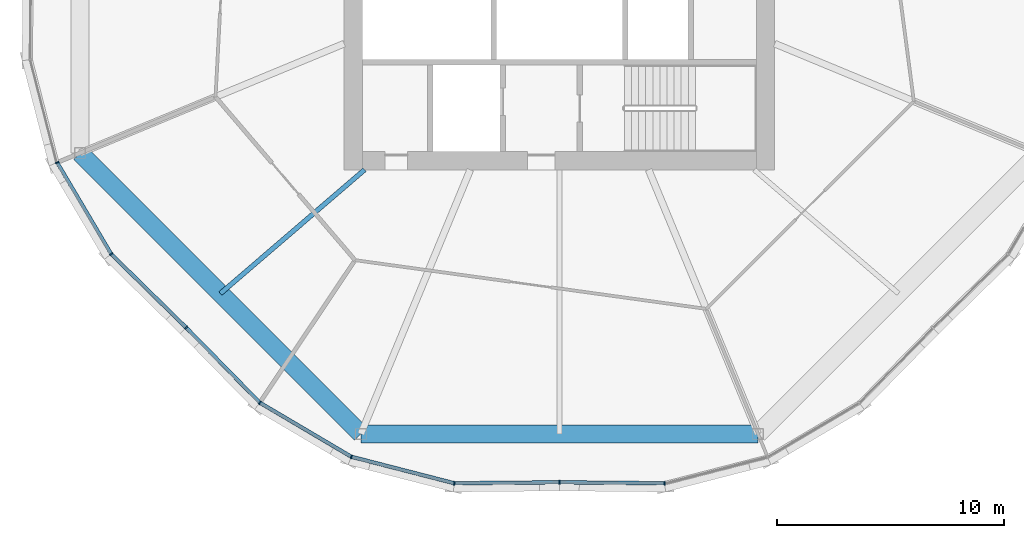
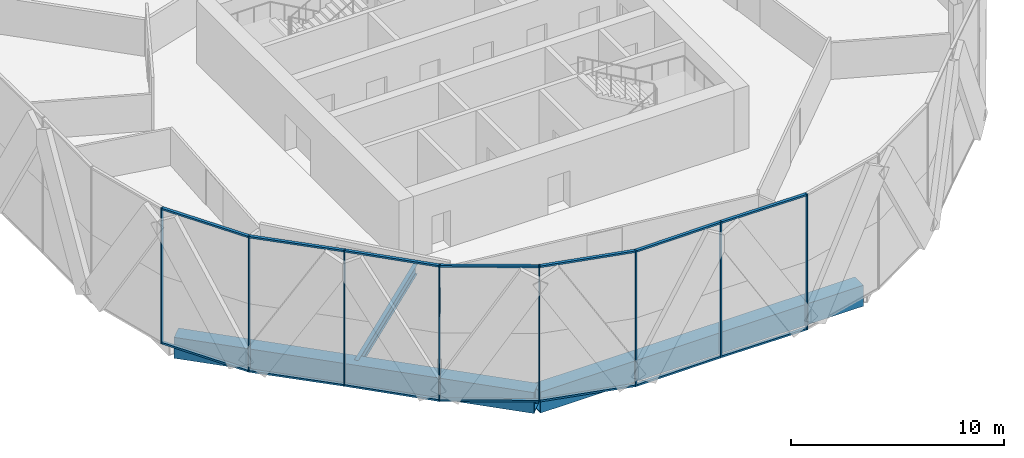
# One storey, part 3 of 31: 22 members, 3 beams, 3 elements without a shape of their own.
"""IFC4 building model written with IfcOpenShell, lengths in metres."""

from ifc_helpers import new_model, si_unit, direction, frame, origin, origin_2d, place, context, subcontext, project, spatial, rectangle, hollow_rectangle, i_section, extrude, material, material_profile, profile_set, type_object, element, aggregate, save


model = new_model("IFC4")

# Units and contexts
model_context = context("Model", 3, precision=1e-05, world=origin(), true_north=direction((0.0, 1.0)))
body_context = subcontext(model_context, "Body", "Model", "MODEL_VIEW")
ifc_project = project(units=[si_unit("LENGTHUNIT", "METRE"), si_unit("AREAUNIT", "SQUARE_METRE"), si_unit("VOLUMEUNIT", "CUBIC_METRE"), si_unit("PLANEANGLEUNIT", "RADIAN"), si_unit("MASSUNIT", "GRAM", prefix="KILO")], contexts=[model_context])

# Site, building, storey
site_placement = place(None, origin())
site = spatial("IfcSite", under=ifc_project, at=site_placement, CompositionType="ELEMENT")
building_placement = place(site_placement, origin())
building = spatial("IfcBuilding", under=site, at=building_placement, Name="Ogive Gate Towers", CompositionType="ELEMENT")
storey_placement = place(building_placement, frame((0.0, 0.0, 63.60009765625)))
storey = spatial("IfcBuildingStorey", under=building, at=storey_placement, Name="L14", CompositionType="ELEMENT", Elevation=63.60009765625)

# Beams
ifc_material_1 = material(Name="Steel SM460", Category="steel")
ifc_material_profile_1 = material_profile(ifc_material_1, hollow_rectangle(XDim=0.800048828125, YDim=1.199951171875, WallThickness=0.050048828125, at=origin_2d()), Name="BX 1200x800x50")
ifc_profile_set_1 = profile_set([ifc_material_profile_1], Name="Steel SM460")
beam_type_1 = type_object("IfcBeamType", Name="Edge girder BX 1200x800x50", PredefinedType="BEAM", material=ifc_profile_set_1)
for number, where, z_axis, x_axis, name in (
    (1, (-57.15673828125, -8.763427734375, -0.900146484375), (0.707106781187, -0.707106781187, 0.0), (0.707106781187, 0.707106781187, 0.0), "T1/L14/SBM017"),
    (2, (-44.763427734375, -21.15673828125, -0.900146484375), (1.0, 0.0, 0.0), (0.0, 1.0, 0.0), "T1/L14/SBM018"),
):
    element("IfcBeam", number, at=place(storey_placement, frame(where, z_axis=z_axis, x_axis=x_axis)), inside=storey, type_object=beam_type_1, Name=name, PredefinedType="BEAM", context=body_context, shape_type="SweptSolid", body=[
        extrude(hollow_rectangle(XDim=0.800048828125, YDim=1.199951171875, WallThickness=0.050048828125, at=origin_2d()), origin(), (0.0, 0.0, 1.0), 17.52685546875),
    ])
ifc_material_2 = material(Name="Steel SM355", Category="steel")
ifc_material_profile_2 = material_profile(ifc_material_2, i_section(OverallWidth=0.2099609375, OverallDepth=0.550048828125, WebThickness=0.010986328125, FlangeThickness=0.01708984375, FilletRadius=0.02392578125, at=origin_2d()), Name="IPE 550")
ifc_profile_set_2 = profile_set([ifc_material_profile_2], Name="Steel SM355")
beam_type_2 = type_object("IfcBeamType", Name="Radial floor beam IPE 550", PredefinedType="BEAM", material=ifc_profile_set_2)
beam_placement = place(storey_placement, frame((-44.60009765625, -9.5, -0.5751953125), z_axis=(-0.75874444664, -0.651388413078, 0.0), x_axis=(0.651388413078, -0.75874444664, 0.0)))
element("IfcBeam", 3, at=beam_placement, inside=storey, type_object=beam_type_2, Name="T1/L14/SBM002", PredefinedType="BEAM", context=body_context, shape_type="SweptSolid", body=[
    extrude(i_section(OverallWidth=0.2099609375, OverallDepth=0.550048828125, WebThickness=0.010986328125, FlangeThickness=0.01708984375, FilletRadius=0.02392578125, at=origin_2d()), origin(), (0.0, 0.0, 1.0), 8.38232421875),
])

# Curtain wall, members
ifc_material_3 = material(Name="Pale metal aluminium", Category="aluminium")
curtain_wall_type = type_object("IfcCurtainWallType", Name="Tower unitised wall, low zone", PredefinedType="NOTDEFINED", material=ifc_material_3)
curtain_wall_1_placement = place(storey_placement, origin())
curtain_wall_1 = element("IfcCurtainWall", 4, at=curtain_wall_1_placement, inside=storey, type_object=curtain_wall_type, Name="CW1 T1 ECW05", PredefinedType="NOTDEFINED")
ifc_material_profile_3 = material_profile(ifc_material_3, rectangle(XDim=0.159912109375, YDim=0.06005859375, at=origin_2d()), Name="60 x 160 aluminium box")
ifc_profile_set_3 = profile_set([ifc_material_profile_3], Name="Pale metal aluminium")
member_type_1 = type_object("IfcMemberType", Name="Tower unitised wall, low zone mullion 60 x 160", PredefinedType="MULLION", material=ifc_profile_set_3)
member_1_placement = place(storey_placement, frame((-58.164794921875, -9.180908203125, -0.300048828125), z_axis=(0.0, 0.0, 1.0), x_axis=(-0.923879532511, -0.382683432365, 0.0)))
member_1 = element("IfcMember", 5, at=member_1_placement, type_object=member_type_1, Name="CW1 mullion", PredefinedType="MULLION", context=body_context, shape_type="SweptSolid", body=[
    extrude(rectangle(XDim=0.159912109375, YDim=0.06005859375, at=origin_2d()), origin(), (0.0, 0.0, 1.0), 7.800048828125),
])
member_2_placement = place(storey_placement, frame((-55.77783203125, -13.222412109375, -0.300048828125), z_axis=(0.0, 0.0, 1.0), x_axis=(-0.787387121413, -0.616458855912, 0.0)))
member_2 = element("IfcMember", 6, at=member_2_placement, type_object=member_type_1, Name="CW1 mullion", PredefinedType="MULLION", context=body_context, shape_type="SweptSolid", body=[
    extrude(rectangle(XDim=0.159912109375, YDim=0.06005859375, at=origin_2d()), origin(), (0.0, 0.0, 1.0), 7.800048828125),
])
member_3_placement = place(storey_placement, frame((-52.46875, -16.468505859375, -0.300048828125), z_axis=(0.0, 0.0, 1.0), x_axis=(-0.700299028189, -0.713849613797, 0.0)))
member_3 = element("IfcMember", 7, at=member_3_placement, type_object=member_type_1, Name="CW1 mullion", PredefinedType="MULLION", context=body_context, shape_type="SweptSolid", body=[
    extrude(rectangle(XDim=0.159912109375, YDim=0.06005859375, at=origin_2d()), origin(), (0.0, 0.0, 1.0), 7.800048828125),
])

curtain_wall_2_placement = place(storey_placement, origin())
curtain_wall_2 = element("IfcCurtainWall", 8, at=curtain_wall_2_placement, inside=storey, type_object=curtain_wall_type, Name="CW1 T1 ECW06", PredefinedType="NOTDEFINED")
member_4_placement = place(storey_placement, frame((-49.222412109375, -19.77783203125, -0.300048828125), z_axis=(0.0, 0.0, 1.0), x_axis=(-0.616458855912, -0.787387121413, 0.0)))
member_4 = element("IfcMember", 9, at=member_4_placement, type_object=member_type_1, Name="CW1 mullion", PredefinedType="MULLION", context=body_context, shape_type="SweptSolid", body=[
    extrude(rectangle(XDim=0.159912109375, YDim=0.06005859375, at=origin_2d()), origin(), (0.0, 0.0, 1.0), 7.800048828125),
])
member_5_placement = place(storey_placement, frame((-45.180908203125, -22.164794921875, -0.300048828125), z_axis=(0.0, 0.0, 1.0), x_axis=(-0.382683432365, -0.923879532511, 0.0)))
member_5 = element("IfcMember", 10, at=member_5_placement, type_object=member_type_1, Name="CW1 mullion", PredefinedType="MULLION", context=body_context, shape_type="SweptSolid", body=[
    extrude(rectangle(XDim=0.159912109375, YDim=0.06005859375, at=origin_2d()), origin(), (0.0, 0.0, 1.0), 7.800048828125),
])
member_6_placement = place(storey_placement, frame((-40.635498046875, -23.334716796875, -0.300048828125), z_axis=(0.0, 0.0, 1.0), x_axis=(-0.120847210271, -0.992671119641, 0.0)))
member_6 = element("IfcMember", 11, at=member_6_placement, type_object=member_type_1, Name="CW1 mullion", PredefinedType="MULLION", context=body_context, shape_type="SweptSolid", body=[
    extrude(rectangle(XDim=0.159912109375, YDim=0.06005859375, at=origin_2d()), origin(), (0.0, 0.0, 1.0), 7.800048828125),
])
member_7_placement = place(storey_placement, frame((-36.000244140625, -23.2900390625, -0.300048828125), z_axis=(0.0, 0.0, 1.0), x_axis=(0.009599163462, -0.999953926969, 0.0)))
member_7 = element("IfcMember", 12, at=member_7_placement, type_object=member_type_1, Name="CW1 mullion", PredefinedType="MULLION", context=body_context, shape_type="SweptSolid", body=[
    extrude(rectangle(XDim=0.159912109375, YDim=0.06005859375, at=origin_2d()), origin(), (0.0, 0.0, 1.0), 7.800048828125),
])

# Curtain wall, member
curtain_wall_3_placement = place(storey_placement, origin())
curtain_wall_3 = element("IfcCurtainWall", 13, at=curtain_wall_3_placement, inside=storey, type_object=curtain_wall_type, Name="CW1 T1 ECW07", PredefinedType="NOTDEFINED")
member_8_placement = place(storey_placement, frame((-31.364501953125, -23.334716796875, -0.300048828125), z_axis=(0.0, 0.0, 1.0), x_axis=(0.120847210271, -0.992671119641, 0.0)))
member_8 = element("IfcMember", 14, at=member_8_placement, type_object=member_type_1, Name="CW1 mullion", PredefinedType="MULLION", context=body_context, shape_type="SweptSolid", body=[
    extrude(rectangle(XDim=0.159912109375, YDim=0.06005859375, at=origin_2d()), origin(), (0.0, 0.0, 1.0), 7.800048828125),
])

# Member
ifc_material_profile_4 = material_profile(ifc_material_3, rectangle(XDim=0.159912109375, YDim=0.10009765625, at=origin_2d()), Name="100 x 160 aluminium box")
ifc_profile_set_4 = profile_set([ifc_material_profile_4], Name="Pale metal aluminium")
member_type_2 = type_object("IfcMemberType", Name="Tower unitised wall, low zone transom 100 x 160", PredefinedType="USERDEFINED", material=ifc_profile_set_4)
member_9_placement = place(storey_placement, frame((-58.15087890625, -9.204345703125, 7.449951171875), z_axis=(0.508578598665, -0.861015568373, 0.0), x_axis=(0.861015568373, 0.508578598665, 0.0)))
member_9 = element("IfcMember", 15, at=member_9_placement, type_object=member_type_2, Name="CW1 transom", ObjectType="TRANSOM", PredefinedType="USERDEFINED", context=body_context, shape_type="SweptSolid", body=[
    extrude(rectangle(XDim=0.159912109375, YDim=0.10009765625, at=origin_2d()), origin(), (0.0, 0.0, 1.0), 4.63916015625),
])

member_10_placement = place(storey_placement, frame((-58.15087890625, -9.204345703125, -0.25), z_axis=(0.508578598665, -0.861015568373, 0.0), x_axis=(0.861015568373, 0.508578598665, 0.0)))
member_10 = element("IfcMember", 16, at=member_10_placement, type_object=member_type_2, Name="CW1 transom", ObjectType="TRANSOM", PredefinedType="USERDEFINED", context=body_context, shape_type="SweptSolid", body=[
    extrude(rectangle(XDim=0.159912109375, YDim=0.10009765625, at=origin_2d()), origin(), (0.0, 0.0, 1.0), 4.63916015625),
])

member_11_placement = place(storey_placement, frame((-55.75830078125, -13.241455078125, 7.449951171875), z_axis=(0.71387313872, -0.70027504726, 0.0), x_axis=(0.70027504726, 0.71387313872, 0.0)))
member_11 = element("IfcMember", 17, at=member_11_placement, type_object=member_type_2, Name="CW1 transom", ObjectType="TRANSOM", PredefinedType="USERDEFINED", context=body_context, shape_type="SweptSolid", body=[
    extrude(rectangle(XDim=0.159912109375, YDim=0.10009765625, at=origin_2d()), origin(), (0.0, 0.0, 1.0), 4.578369140625),
])

member_12_placement = place(storey_placement, frame((-55.75830078125, -13.241455078125, -0.25), z_axis=(0.71387313872, -0.70027504726, 0.0), x_axis=(0.70027504726, 0.71387313872, 0.0)))
member_12 = element("IfcMember", 18, at=member_12_placement, type_object=member_type_2, Name="CW1 transom", ObjectType="TRANSOM", PredefinedType="USERDEFINED", context=body_context, shape_type="SweptSolid", body=[
    extrude(rectangle(XDim=0.159912109375, YDim=0.10009765625, at=origin_2d()), origin(), (0.0, 0.0, 1.0), 4.578369140625),
])

aggregate(curtain_wall_1, [member_1, member_2, member_9, member_10, member_3, member_11, member_12])

member_13_placement = place(storey_placement, frame((-52.447509765625, -16.489990234375, 7.449951171875), z_axis=(0.70027504726, -0.71387313872, 0.0), x_axis=(0.71387313872, 0.70027504726, 0.0)))
member_13 = element("IfcMember", 19, at=member_13_placement, type_object=member_type_2, Name="CW1 transom", ObjectType="TRANSOM", PredefinedType="USERDEFINED", context=body_context, shape_type="SweptSolid", body=[
    extrude(rectangle(XDim=0.159912109375, YDim=0.10009765625, at=origin_2d()), origin(), (0.0, 0.0, 1.0), 4.578369140625),
])

member_14_placement = place(storey_placement, frame((-52.447509765625, -16.489990234375, -0.25), z_axis=(0.70027504726, -0.71387313872, 0.0), x_axis=(0.71387313872, 0.70027504726, 0.0)))
member_14 = element("IfcMember", 20, at=member_14_placement, type_object=member_type_2, Name="CW1 transom", ObjectType="TRANSOM", PredefinedType="USERDEFINED", context=body_context, shape_type="SweptSolid", body=[
    extrude(rectangle(XDim=0.159912109375, YDim=0.10009765625, at=origin_2d()), origin(), (0.0, 0.0, 1.0), 4.578369140625),
])

member_15_placement = place(storey_placement, frame((-49.19873046875, -19.79150390625, 7.449951171875), z_axis=(0.861015568373, -0.508578598665, 0.0), x_axis=(0.508578598665, 0.861015568373, 0.0)))
member_15 = element("IfcMember", 21, at=member_15_placement, type_object=member_type_2, Name="CW1 transom", ObjectType="TRANSOM", PredefinedType="USERDEFINED", context=body_context, shape_type="SweptSolid", body=[
    extrude(rectangle(XDim=0.159912109375, YDim=0.10009765625, at=origin_2d()), origin(), (0.0, 0.0, 1.0), 4.63916015625),
])

member_16_placement = place(storey_placement, frame((-49.19873046875, -19.79150390625, -0.25), z_axis=(0.861015568373, -0.508578598665, 0.0), x_axis=(0.508578598665, 0.861015568373, 0.0)))
member_16 = element("IfcMember", 22, at=member_16_placement, type_object=member_type_2, Name="CW1 transom", ObjectType="TRANSOM", PredefinedType="USERDEFINED", context=body_context, shape_type="SweptSolid", body=[
    extrude(rectangle(XDim=0.159912109375, YDim=0.10009765625, at=origin_2d()), origin(), (0.0, 0.0, 1.0), 4.63916015625),
])

member_17_placement = place(storey_placement, frame((-45.154541015625, -22.17138671875, 7.449951171875), z_axis=(0.968441413221, -0.249241307087, 0.0), x_axis=(0.249241307087, 0.968441413221, 0.0)))
member_17 = element("IfcMember", 23, at=member_17_placement, type_object=member_type_2, Name="CW1 transom", ObjectType="TRANSOM", PredefinedType="USERDEFINED", context=body_context, shape_type="SweptSolid", body=[
    extrude(rectangle(XDim=0.159912109375, YDim=0.10009765625, at=origin_2d()), origin(), (0.0, 0.0, 1.0), 4.63916015625),
])

member_18_placement = place(storey_placement, frame((-45.154541015625, -22.17138671875, -0.25), z_axis=(0.968441413221, -0.249241307087, 0.0), x_axis=(0.249241307087, 0.968441413221, 0.0)))
member_18 = element("IfcMember", 24, at=member_18_placement, type_object=member_type_2, Name="CW1 transom", ObjectType="TRANSOM", PredefinedType="USERDEFINED", context=body_context, shape_type="SweptSolid", body=[
    extrude(rectangle(XDim=0.159912109375, YDim=0.10009765625, at=origin_2d()), origin(), (0.0, 0.0, 1.0), 4.63916015625),
])

member_19_placement = place(storey_placement, frame((-40.60791015625, -23.334228515625, 7.449951171875), z_axis=(0.999953923185, 0.009599557663, 0.0), x_axis=(-0.009599557663, 0.999953923185, 0.0)))
member_19 = element("IfcMember", 25, at=member_19_placement, type_object=member_type_2, Name="CW1 transom", ObjectType="TRANSOM", PredefinedType="USERDEFINED", context=body_context, shape_type="SweptSolid", body=[
    extrude(rectangle(XDim=0.159912109375, YDim=0.10009765625, at=origin_2d()), origin(), (0.0, 0.0, 1.0), 4.577880859375),
])

member_20_placement = place(storey_placement, frame((-40.60791015625, -23.334228515625, -0.25), z_axis=(0.999953923185, 0.009599557663, 0.0), x_axis=(-0.009599557663, 0.999953923185, 0.0)))
member_20 = element("IfcMember", 26, at=member_20_placement, type_object=member_type_2, Name="CW1 transom", ObjectType="TRANSOM", PredefinedType="USERDEFINED", context=body_context, shape_type="SweptSolid", body=[
    extrude(rectangle(XDim=0.159912109375, YDim=0.10009765625, at=origin_2d()), origin(), (0.0, 0.0, 1.0), 4.577880859375),
])

aggregate(curtain_wall_2, [member_4, member_13, member_14, member_5, member_15, member_16, member_6, member_17, member_18, member_7, member_19, member_20])

member_21_placement = place(storey_placement, frame((-35.9697265625, -23.290283203125, 7.449951171875), z_axis=(0.999953923185, -0.009599557663, 0.0), x_axis=(0.009599557663, 0.999953923185, 0.0)))
member_21 = element("IfcMember", 27, at=member_21_placement, type_object=member_type_2, Name="CW1 transom", ObjectType="TRANSOM", PredefinedType="USERDEFINED", context=body_context, shape_type="SweptSolid", body=[
    extrude(rectangle(XDim=0.159912109375, YDim=0.10009765625, at=origin_2d()), origin(), (0.0, 0.0, 1.0), 4.577880859375),
])

member_22_placement = place(storey_placement, frame((-35.9697265625, -23.290283203125, -0.25), z_axis=(0.999953923185, -0.009599557663, 0.0), x_axis=(0.009599557663, 0.999953923185, 0.0)))
member_22 = element("IfcMember", 28, at=member_22_placement, type_object=member_type_2, Name="CW1 transom", ObjectType="TRANSOM", PredefinedType="USERDEFINED", context=body_context, shape_type="SweptSolid", body=[
    extrude(rectangle(XDim=0.159912109375, YDim=0.10009765625, at=origin_2d()), origin(), (0.0, 0.0, 1.0), 4.577880859375),
])

aggregate(curtain_wall_3, [member_8, member_21, member_22])

save(model, "model.ifc")
